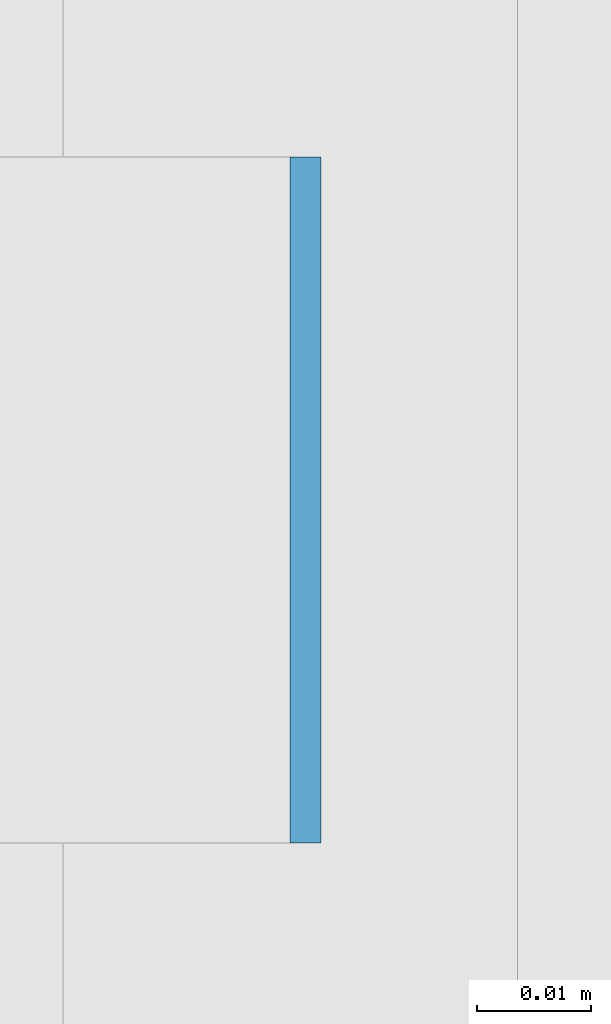
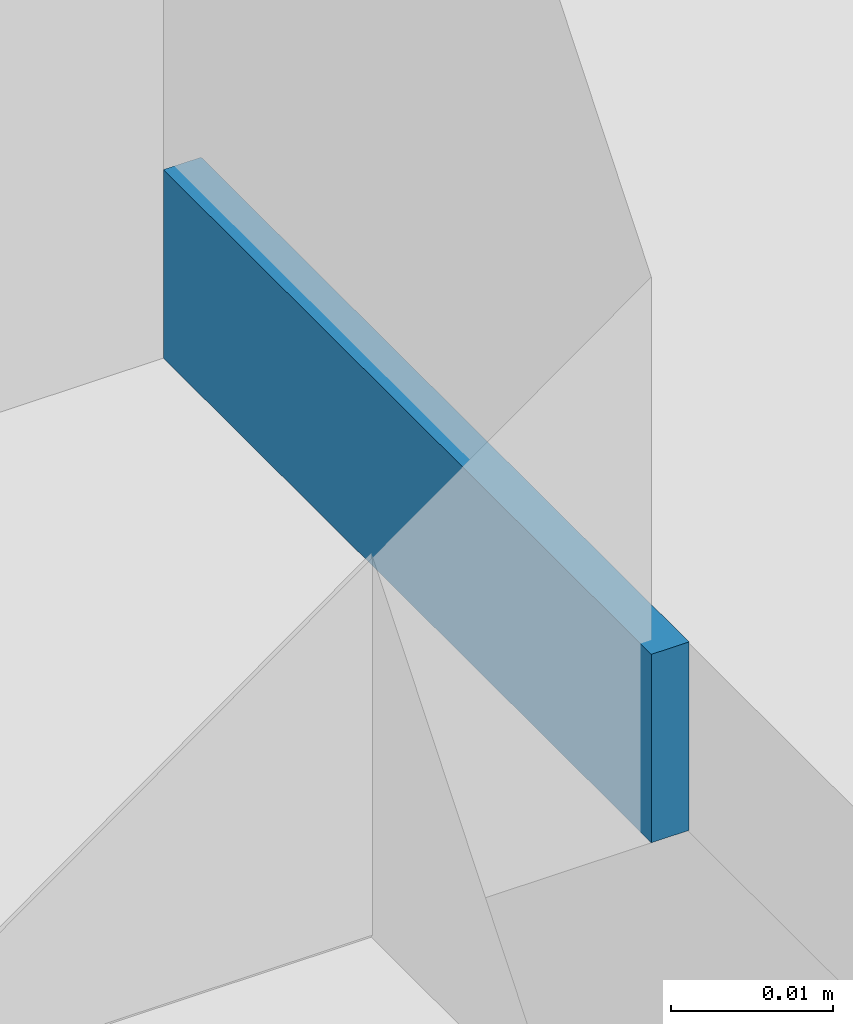
# One storey, part 358 of 646: 1 discrete accessory.
"""IFC4 building model written with IfcOpenShell, lengths in metres."""

from ifc_helpers import new_model, si_unit, direction, frame, origin, origin_2d, place, context, subcontext, project, spatial, rectangle, extrude, material, type_object, element, save


model = new_model("IFC4")

# Units and contexts
model_context = context("Model", 3, precision=1e-05, world=origin(), true_north=direction((0.0, 1.0)))
body_context = subcontext(model_context, "Body", "Model", "MODEL_VIEW")
ifc_project = project(units=[si_unit("LENGTHUNIT", "METRE"), si_unit("AREAUNIT", "SQUARE_METRE"), si_unit("VOLUMEUNIT", "CUBIC_METRE"), si_unit("PLANEANGLEUNIT", "RADIAN"), si_unit("MASSUNIT", "GRAM", prefix="KILO")], contexts=[model_context])

# Site, building, storey
site_placement = place(None, origin())
site = spatial("IfcSite", under=ifc_project, at=site_placement, CompositionType="ELEMENT")
building_placement = place(site_placement, origin())
building = spatial("IfcBuilding", under=site, at=building_placement, Name="Silverbay Arena", CompositionType="ELEMENT")
storey_placement = place(building_placement, frame((0.0, 0.0, 33.5)))
storey = spatial("IfcBuildingStorey", under=building, at=storey_placement, Name="L05", CompositionType="ELEMENT", Elevation=33.5)

# Discrete accessory
ifc_material = material(Name="Steel S355", Category="steel")
discrete_accessory_type = type_object("IfcDiscreteAccessoryType", Name="Steel bracket plate", PredefinedType="BRACKET", material=ifc_material)
discrete_accessory_placement = place(storey_placement, frame((53.871337890625, 95.142822265625, 4.0), z_axis=(0.0, 0.0, 1.0), x_axis=(1.0, 0.0, 0.0)))
element("IfcDiscreteAccessory", 1, at=discrete_accessory_placement, inside=storey, type_object=discrete_accessory_type, Name="Curtain wall packing plate", PredefinedType="BRACKET", context=body_context, shape_type="SweptSolid", body=[
    extrude(rectangle(XDim=0.002685546875, YDim=0.06005859375, at=origin_2d()), origin(), (0.0, 0.0, 1.0), 0.01416015625),
])

save(model, "model.ifc")
